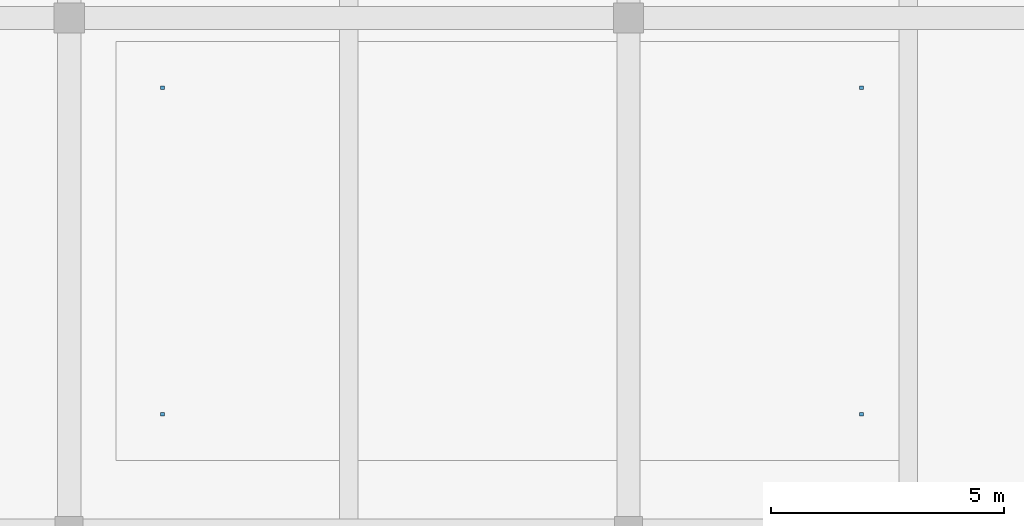
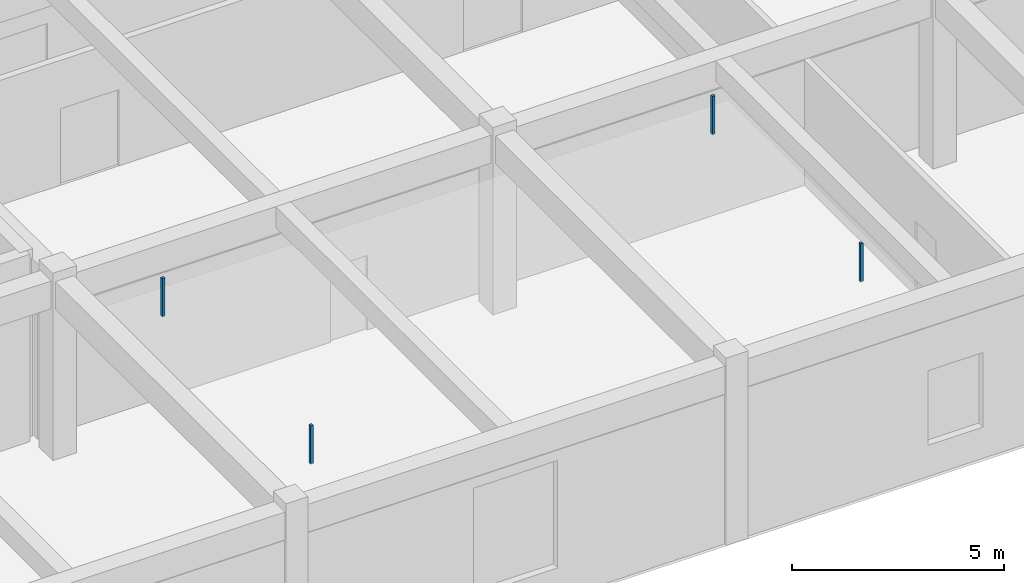
# One storey, part 185 of 197: 4 discrete accessories.
"""IFC4 building model written with IfcOpenShell, lengths in metres."""

from ifc_helpers import new_model, si_unit, derived_unit, direction, frame, origin, origin_2d, place, context, subcontext, project, spatial, rectangle, extrude, material, type_object, element, save


model = new_model("IFC4")

# Units and contexts
model_context = context("Model", 3, precision=1e-05, world=origin(), true_north=direction((0.0, 1.0)))
body_context = subcontext(model_context, "Body", "Model", "MODEL_VIEW")
ifc_project = project(units=[si_unit("LENGTHUNIT", "METRE"), si_unit("AREAUNIT", "SQUARE_METRE"), si_unit("VOLUMEUNIT", "CUBIC_METRE"), si_unit("PLANEANGLEUNIT", "RADIAN"), si_unit("MASSUNIT", "GRAM", prefix="KILO"), derived_unit("THERMALTRANSMITTANCEUNIT", [(si_unit("POWERUNIT", "WATT"), 1), (si_unit("LENGTHUNIT", "METRE"), -2), (si_unit("THERMODYNAMICTEMPERATUREUNIT", "KELVIN"), -1)])], contexts=[model_context])

# Site, building, storey
site_placement = place(None, origin())
site = spatial("IfcSite", under=ifc_project, at=site_placement, CompositionType="ELEMENT")
building_placement = place(site_placement, origin())
building = spatial("IfcBuilding", under=site, at=building_placement, Name="Almenara Railside Exhibition Hall", CompositionType="ELEMENT")
storey_placement = place(building_placement, frame((0.0, 0.0, 5.39990234375)))
storey = spatial("IfcBuildingStorey", under=building, at=storey_placement, Name="L01", CompositionType="ELEMENT", Elevation=5.39990234375)

# Discrete accessories
ifc_material = material(Name="Galvanised steel suspension bracket", Category="steel")
discrete_accessory_type = type_object("IfcDiscreteAccessoryType", Name="Ceiling Suspension Bracket Hanger", PredefinedType="BRACKET", material=ifc_material)
for number, where, z_axis, x_axis, name in (
    (1, (140.0, 2.5, 4.080078125), (0.0, 0.0, 1.0), (1.0, 0.0, 0.0), "Ceiling suspension hanger 0013"),
    (2, (140.0, 9.5, 4.080078125), (0.0, 0.0, 1.0), (1.0, 0.0, 0.0), "Ceiling suspension hanger 0014"),
    (3, (155.0, 2.5, 4.080078125), (0.0, 0.0, 1.0), (1.0, 0.0, 0.0), "Ceiling suspension hanger 0015"),
    (4, (155.0, 9.5, 4.080078125), (0.0, 0.0, 1.0), (1.0, 0.0, 0.0), "Ceiling suspension hanger 0016"),
):
    element("IfcDiscreteAccessory", number, at=place(storey_placement, frame(where, z_axis=z_axis, x_axis=x_axis)), inside=storey, type_object=discrete_accessory_type, Name=name, PredefinedType="BRACKET", context=body_context, shape_type="SweptSolid", body=[
        extrude(rectangle(XDim=0.080078125, YDim=0.080078125, at=origin_2d()), origin(), (0.0, 0.0, 1.0), 1.10009765625),
    ])

save(model, "model.ifc")
